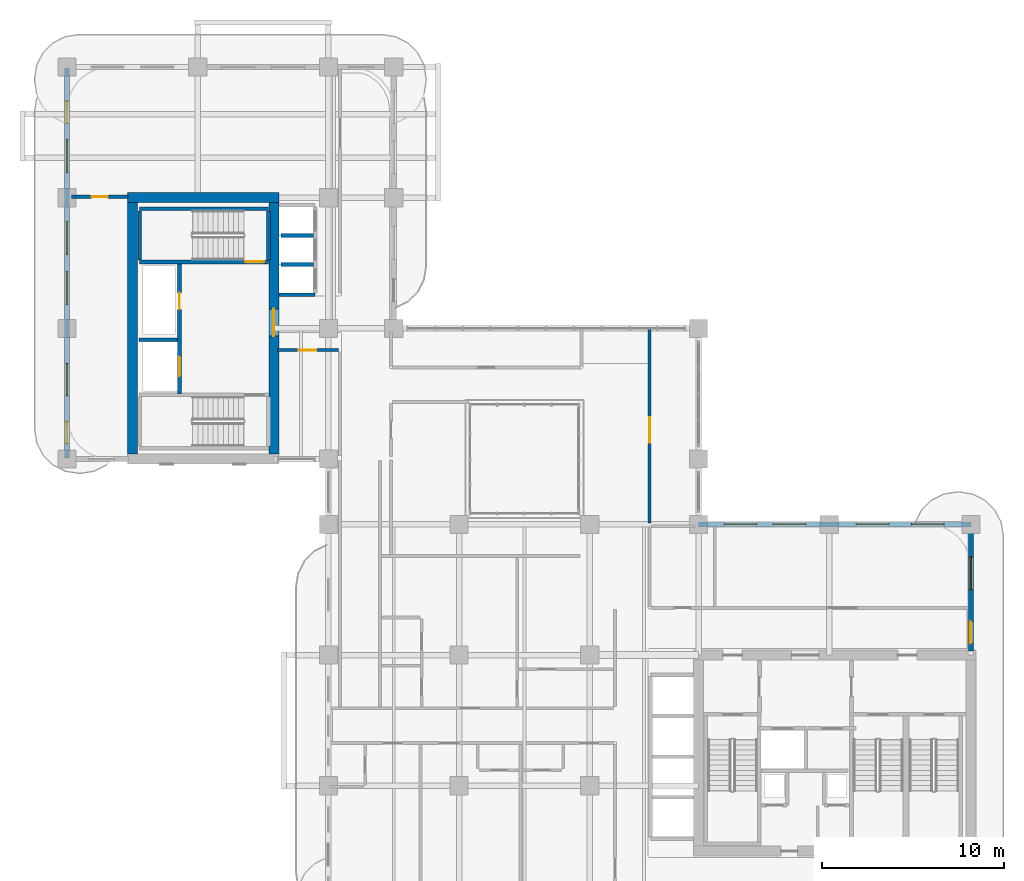
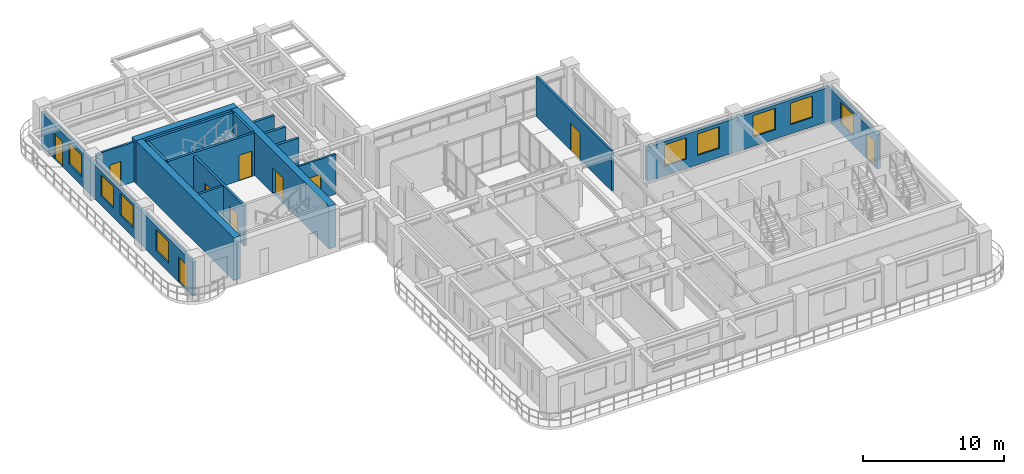
# One storey, part 14 of 19: 18 walls, 10 doors, 9 windows, 19 openings.
"""IFC4 building model written with IfcOpenShell, lengths in metres."""

from ifc_helpers import new_model, si_unit, derived_unit, direction, frame, frame_2d, origin, place, context, subcontext, project, spatial, rectangle, extrude, source, transform, mapped, material, layer, layer_set, type_object, type_shapes, element, fill, save


model = new_model("IFC4")

# Units and contexts
model_context = context("Model", 3, precision=1e-05, world=origin(), true_north=direction((0.0, 1.0)))
body_context = subcontext(model_context, "Body", "Model", "MODEL_VIEW")
ifc_project = project(units=[si_unit("LENGTHUNIT", "METRE"), si_unit("AREAUNIT", "SQUARE_METRE"), si_unit("VOLUMEUNIT", "CUBIC_METRE"), si_unit("PLANEANGLEUNIT", "RADIAN"), si_unit("MASSUNIT", "GRAM", prefix="KILO"), si_unit("THERMODYNAMICTEMPERATUREUNIT", "KELVIN"), si_unit("POWERUNIT", "WATT"), derived_unit("THERMALTRANSMITTANCEUNIT", [(si_unit("POWERUNIT", "WATT"), 1), (si_unit("AREAUNIT", "SQUARE_METRE"), -1), (si_unit("THERMODYNAMICTEMPERATUREUNIT", "KELVIN"), -1)])], contexts=[model_context])

# Site, building, storey
site_placement = place(None, origin())
site = spatial("IfcSite", under=ifc_project, at=site_placement, CompositionType="ELEMENT")
building_placement = place(site_placement, origin())
building = spatial("IfcBuilding", under=site, at=building_placement, Name="Zahravan Archway Hotel and Residences", CompositionType="ELEMENT")
storey_placement = place(building_placement, frame((0.0, 0.0, 134.0)))
storey = spatial("IfcBuildingStorey", under=building, at=storey_placement, Name="L33", CompositionType="ELEMENT", Elevation=134.0)

# Walls
ifc_material_1 = material(Name="Concrete C70/85", Category="concrete")
ifc_layer_1 = layer(ifc_material_1, 0.550048828125, Name="Concrete C70/85", Category="concrete")
ifc_layer_set_1 = layer_set([ifc_layer_1], Name="Concrete C70/85")
wall_type_1 = type_object("IfcWallType", Name="CW-CORE-550", PredefinedType="SHEAR", material=ifc_layer_set_1)
wall_1_placement = place(storey_placement, frame((3.324951171875, 39.60009765625, 0.0), z_axis=(0.0, 0.0, 1.0), x_axis=(1.0, 0.0, 0.0)))
element("IfcWall", 1, at=wall_1_placement, inside=storey, type_object=wall_type_1, Name="L33 Core B Shear N Wall 550 mm", PredefinedType="SHEAR", context=body_context, shape_type="SweptSolid", body=[
    extrude(rectangle(XDim=8.35009765625, YDim=0.550048828125, at=frame_2d((4.175048828125, 0.0))), origin(), (0.0, 0.0, 1.0), 3.699951171875),
])
wall_2_placement = place(storey_placement, frame((3.60009765625, 25.47509765625, 0.0), z_axis=(0.0, 0.0, 1.0), x_axis=(0.0, 1.0, 0.0)))
element("IfcWall", 2, at=wall_2_placement, inside=storey, type_object=wall_type_1, Name="L33 Core B Shear W Wall 550 mm", PredefinedType="SHEAR", context=body_context, shape_type="SweptSolid", body=[
    extrude(rectangle(XDim=13.849853515625, YDim=0.550048828125, at=frame_2d((6.9248046875, 0.0))), origin(), (0.0, 0.0, 1.0), 3.699951171875),
])

# Wall, opening, door
wall_3_placement = place(storey_placement, frame((11.39990234375, 25.47509765625, 0.0), z_axis=(0.0, 0.0, 1.0), x_axis=(0.0, 1.0, 0.0)))
wall_3 = element("IfcWall", 3, at=wall_3_placement, inside=storey, type_object=wall_type_1, Name="L33 Core B Shear E Wall 550 mm", PredefinedType="SHEAR", context=body_context, shape_type="SweptSolid", body=[
    extrude(rectangle(XDim=13.849853515625, YDim=0.550048828125, at=frame_2d((6.9248046875, 0.0))), origin(), (0.0, 0.0, 1.0), 3.699951171875),
])
opening_1_placement = place(wall_3_placement, frame((6.4951171875, 0.0, 0.0)))
opening_1 = element("IfcOpeningElement", 4, at=opening_1_placement, cuts=wall_3, Name="Opening FD-L1", PredefinedType="OPENING", context=body_context, shape_type="SweptSolid", body=[
    extrude(rectangle(XDim=1.5, YDim=2.199951171875, at=frame_2d((0.75, 1.10009765625))), frame((0.0, 0.28515625, 0.0), z_axis=(0.0, -1.0, 0.0), x_axis=(1.0, 0.0, 0.0)), (0.0, 0.0, 1.0), 0.570068359375),
])
ifc_material_2 = material(Name="Fire-Rated Painted Steel", Category="steel")
door_type_1 = type_object("IfcDoorType", Name="FD-LOBBY-1500", OperationType="DOUBLE_DOOR_SINGLE_SWING", PredefinedType="DOOR", material=ifc_material_2)
shared_shape_1 = source(origin(), body_context, "Body", "SweptSolid", [
    extrude(rectangle(XDim=1.5, YDim=2.199951171875, at=frame_2d((0.75, 1.10009765625))), frame((0.0, 0.02490234375, 0.0), z_axis=(0.0, -1.0, 0.0), x_axis=(1.0, 0.0, 0.0)), (0.0, 0.0, 1.0), 0.050048828125),
])
type_shapes(door_type_1, [shared_shape_1])
door_1_placement = place(opening_1_placement, origin())
door_1 = element("IfcDoor", 5, at=door_1_placement, inside=storey, type_object=door_type_1, Name="L33 Core B FSAE Lobby Door", OperationType="DOUBLE_DOOR_SINGLE_SWING", OverallHeight=2.199951171875, OverallWidth=1.5, PredefinedType="DOOR", context=body_context, shape_type="MappedRepresentation", body=[
    mapped(shared_shape_1, transform((0.0, 0.0, 0.0), scale=1.0)),
])
fill(opening_1, door_1)

# Wall, openings, door, window
ifc_material_3 = material(Name="Honed Red-Ochre Sandstone & Insulated Block", Category="masonry")
ifc_layer_2 = layer(ifc_material_3, 0.280029296875, Name="Honed Red-Ochre Sandstone & Insulated Block", Category="masonry")
ifc_layer_set_2 = layer_set([ifc_layer_2], Name="Honed Red-Ochre Sandstone & Insulated Block")
wall_type_2 = type_object("IfcWallType", Name="EW-LOG-280", PredefinedType="SOLIDWALL", material=ifc_layer_set_2)
wall_4_placement = place(storey_placement, frame((49.800048828125, 14.6201171875, 0.0), z_axis=(0.0, 0.0, 1.0), x_axis=(0.0, 1.0, 0.0)))
wall_4 = element("IfcWall", 6, at=wall_4_placement, inside=storey, type_object=wall_type_2, Name="L33 Exterior Sandstone Wall WA-EN", PredefinedType="SOLIDWALL", context=body_context, shape_type="SweptSolid", body=[
    extrude(rectangle(XDim=6.929931640625, YDim=0.280029296875, at=frame_2d((3.46484375, 0.0))), origin(), (0.0, 0.0, 1.0), 2.93505859375),
])
opening_2_placement = place(wall_4_placement, frame((0.419921875, 0.0, 0.0)))
opening_2 = element("IfcOpeningElement", 7, at=opening_2_placement, cuts=wall_4, Name="Opening ED-BL1", PredefinedType="OPENING", context=body_context, shape_type="SweptSolid", body=[
    extrude(rectangle(XDim=1.199951171875, YDim=2.199951171875, at=frame_2d((0.60009765625, 1.10009765625))), frame((0.0, 0.14990234375, 0.0), z_axis=(0.0, -1.0, 0.0), x_axis=(1.0, 0.0, 0.0)), (0.0, 0.0, 1.0), 0.300048828125),
])
opening_3_placement = place(wall_4_placement, frame((3.384033203125, 0.0, 0.800048828125)))
opening_3 = element("IfcOpeningElement", 8, at=opening_3_placement, cuts=wall_4, Name="Opening W-02", PredefinedType="OPENING", context=body_context, shape_type="SweptSolid", body=[
    extrude(rectangle(XDim=1.800048828125, YDim=1.85009765625, at=frame_2d((0.89990234375, 0.925048828125))), frame((0.0, 0.14990234375, 0.0), z_axis=(0.0, -1.0, 0.0), x_axis=(1.0, 0.0, 0.0)), (0.0, 0.0, 1.0), 0.300048828125),
])
ifc_material_4 = material(Name="Bronze-Anodized Glazed Aluminium", Category="aluminium")
door_type_2 = type_object("IfcDoorType", Name="ED-BALC-1200", OperationType="SLIDING_TO_LEFT", PredefinedType="DOOR", material=ifc_material_4)
shared_shape_2 = source(origin(), body_context, "Body", "SweptSolid", [
    extrude(rectangle(XDim=1.199951171875, YDim=2.199951171875, at=frame_2d((0.60009765625, 1.10009765625))), frame((0.0, 0.02490234375, 0.0), z_axis=(0.0, -1.0, 0.0), x_axis=(1.0, 0.0, 0.0)), (0.0, 0.0, 1.0), 0.050048828125),
])
type_shapes(door_type_2, [shared_shape_2])
door_2_placement = place(opening_2_placement, origin())
door_2 = element("IfcDoor", 9, at=door_2_placement, inside=storey, type_object=door_type_2, Name="L33 Outdoor Access Sliding Door (SLB-BAL-L33-EA)", OperationType="SLIDING_TO_LEFT", OverallHeight=2.199951171875, OverallWidth=1.199951171875, PredefinedType="DOOR", context=body_context, shape_type="MappedRepresentation", body=[
    mapped(shared_shape_2, transform((0.0, 0.0, 0.0), scale=1.0)),
])
fill(opening_2, door_2)
ifc_material_5 = material(Name="Bronze-Anodized Thermal-Break Aluminium & Low-E Glass", Category="aluminium")
window_type = type_object("IfcWindowType", Name="WIN-TWR-1800", PartitioningType="DOUBLE_PANEL_VERTICAL", PredefinedType="WINDOW", material=ifc_material_5)
shared_shape_3 = source(origin(), body_context, "Body", "SweptSolid", [
    extrude(rectangle(XDim=1.800048828125, YDim=1.85009765625, at=frame_2d((0.89990234375, 0.925048828125))), frame((0.0, 0.030029296875, 0.0), z_axis=(0.0, -1.0, 0.0), x_axis=(1.0, 0.0, 0.0)), (0.0, 0.0, 1.0), 0.06005859375),
])
type_shapes(window_type, [shared_shape_3])
window_1_placement = place(opening_3_placement, origin())
window_1 = element("IfcWindow", 10, at=window_1_placement, inside=storey, type_object=window_type, Name="L33 Loggia Window 10", OverallHeight=1.85009765625, OverallWidth=1.800048828125, PartitioningType="DOUBLE_PANEL_VERTICAL", PredefinedType="WINDOW", context=body_context, shape_type="MappedRepresentation", body=[
    mapped(shared_shape_3, transform((0.0, 0.0, 0.0), scale=1.0)),
])
fill(opening_3, window_1)

# Wall, openings, windows
wall_5_placement = place(storey_placement, frame((34.800048828125, 21.60009765625, 0.0), z_axis=(0.0, 0.0, 1.0), x_axis=(1.0, 0.0, 0.0)))
wall_5 = element("IfcWall", 11, at=wall_5_placement, inside=storey, type_object=wall_type_2, Name="L33 Exterior Sandstone Wall WA-NE", PredefinedType="SOLIDWALL", context=body_context, shape_type="SweptSolid", body=[
    extrude(rectangle(XDim=15.0, YDim=0.280029296875, at=frame_2d((7.5, 0.0))), origin(), (0.0, 0.0, 1.0), 2.93505859375),
])
opening_4_placement = place(wall_5_placement, frame((1.406005859375, 0.0, 0.800048828125)))
opening_4 = element("IfcOpeningElement", 12, at=opening_4_placement, cuts=wall_5, Name="Opening W-02", PredefinedType="OPENING", context=body_context, shape_type="SweptSolid", body=[
    extrude(rectangle(XDim=1.800048828125, YDim=1.85009765625, at=frame_2d((0.89990234375, 0.925048828125))), frame((0.0, 0.14990234375, 0.0), z_axis=(0.0, -1.0, 0.0), x_axis=(1.0, 0.0, 0.0)), (0.0, 0.0, 1.0), 0.300048828125),
])
opening_5_placement = place(wall_5_placement, frame((4.10205078125, 0.0, 0.800048828125)))
opening_5 = element("IfcOpeningElement", 13, at=opening_5_placement, cuts=wall_5, Name="Opening W-02", PredefinedType="OPENING", context=body_context, shape_type="SweptSolid", body=[
    extrude(rectangle(XDim=1.800048828125, YDim=1.85009765625, at=frame_2d((0.89990234375, 0.925048828125))), frame((0.0, 0.14990234375, 0.0), z_axis=(0.0, -1.0, 0.0), x_axis=(1.0, 0.0, 0.0)), (0.0, 0.0, 1.0), 0.300048828125),
])
opening_6_placement = place(wall_5_placement, frame((8.675048828125, 0.0, 0.800048828125)))
opening_6 = element("IfcOpeningElement", 14, at=opening_6_placement, cuts=wall_5, Name="Opening W-02", PredefinedType="OPENING", context=body_context, shape_type="SweptSolid", body=[
    extrude(rectangle(XDim=1.800048828125, YDim=1.85009765625, at=frame_2d((0.89990234375, 0.925048828125))), frame((0.0, 0.14990234375, 0.0), z_axis=(0.0, -1.0, 0.0), x_axis=(1.0, 0.0, 0.0)), (0.0, 0.0, 1.0), 0.300048828125),
])
opening_7_placement = place(wall_5_placement, frame((11.72509765625, 0.0, 0.800048828125)))
opening_7 = element("IfcOpeningElement", 15, at=opening_7_placement, cuts=wall_5, Name="Opening W-02", PredefinedType="OPENING", context=body_context, shape_type="SweptSolid", body=[
    extrude(rectangle(XDim=1.800048828125, YDim=1.85009765625, at=frame_2d((0.89990234375, 0.925048828125))), frame((0.0, 0.14990234375, 0.0), z_axis=(0.0, -1.0, 0.0), x_axis=(1.0, 0.0, 0.0)), (0.0, 0.0, 1.0), 0.300048828125),
])
window_2_placement = place(opening_4_placement, origin())
window_2 = element("IfcWindow", 16, at=window_2_placement, inside=storey, type_object=window_type, Name="L33 Loggia Window 11", OverallHeight=1.85009765625, OverallWidth=1.800048828125, PartitioningType="DOUBLE_PANEL_VERTICAL", PredefinedType="WINDOW", context=body_context, shape_type="MappedRepresentation", body=[
    mapped(shared_shape_3, transform((0.0, 0.0, 0.0), scale=1.0)),
])
fill(opening_4, window_2)
window_3_placement = place(opening_5_placement, origin())
window_3 = element("IfcWindow", 17, at=window_3_placement, inside=storey, type_object=window_type, Name="L33 Loggia Window 12", OverallHeight=1.85009765625, OverallWidth=1.800048828125, PartitioningType="DOUBLE_PANEL_VERTICAL", PredefinedType="WINDOW", context=body_context, shape_type="MappedRepresentation", body=[
    mapped(shared_shape_3, transform((0.0, 0.0, 0.0), scale=1.0)),
])
fill(opening_5, window_3)
window_4_placement = place(opening_6_placement, origin())
window_4 = element("IfcWindow", 18, at=window_4_placement, inside=storey, type_object=window_type, Name="L33 Loggia Window 13", OverallHeight=1.85009765625, OverallWidth=1.800048828125, PartitioningType="DOUBLE_PANEL_VERTICAL", PredefinedType="WINDOW", context=body_context, shape_type="MappedRepresentation", body=[
    mapped(shared_shape_3, transform((0.0, 0.0, 0.0), scale=1.0)),
])
fill(opening_6, window_4)
window_5_placement = place(opening_7_placement, origin())
window_5 = element("IfcWindow", 19, at=window_5_placement, inside=storey, type_object=window_type, Name="L33 Loggia Window 14", OverallHeight=1.85009765625, OverallWidth=1.800048828125, PartitioningType="DOUBLE_PANEL_VERTICAL", PredefinedType="WINDOW", context=body_context, shape_type="MappedRepresentation", body=[
    mapped(shared_shape_3, transform((0.0, 0.0, 0.0), scale=1.0)),
])
fill(opening_7, window_5)

# Wall, openings, doors, windows
wall_6_placement = place(storey_placement, frame((0.0, 25.25, 0.0), z_axis=(0.0, 0.0, 1.0), x_axis=(0.0, 1.0, 0.0)))
wall_6 = element("IfcWall", 20, at=wall_6_placement, inside=storey, type_object=wall_type_2, Name="L33 Exterior Sandstone Wall WB-W", PredefinedType="SOLIDWALL", context=body_context, shape_type="SweptSolid", body=[
    extrude(rectangle(XDim=21.5, YDim=0.280029296875, at=frame_2d((10.75, 0.0))), origin(), (0.0, 0.0, 1.0), 2.93505859375),
])
opening_8_placement = place(wall_6_placement, frame((18.449951171875, 0.0, 0.0)))
opening_8 = element("IfcOpeningElement", 21, at=opening_8_placement, cuts=wall_6, Name="Opening ED-BL1", PredefinedType="OPENING", context=body_context, shape_type="SweptSolid", body=[
    extrude(rectangle(XDim=1.199951171875, YDim=2.199951171875, at=frame_2d((0.60009765625, 1.10009765625))), frame((0.0, 0.14990234375, 0.0), z_axis=(0.0, -1.0, 0.0), x_axis=(1.0, 0.0, 0.0)), (0.0, 0.0, 1.0), 0.300048828125),
])
opening_9_placement = place(wall_6_placement, frame((0.800048828125, 0.0, 0.0)))
opening_9 = element("IfcOpeningElement", 22, at=opening_9_placement, cuts=wall_6, Name="Opening ED-BL1", PredefinedType="OPENING", context=body_context, shape_type="SweptSolid", body=[
    extrude(rectangle(XDim=1.199951171875, YDim=2.199951171875, at=frame_2d((0.60009765625, 1.10009765625))), frame((0.0, 0.14990234375, 0.0), z_axis=(0.0, -1.0, 0.0), x_axis=(1.0, 0.0, 0.0)), (0.0, 0.0, 1.0), 0.300048828125),
])
opening_10_placement = place(wall_6_placement, frame((3.425048828125, 0.0, 0.800048828125)))
opening_10 = element("IfcOpeningElement", 23, at=opening_10_placement, cuts=wall_6, Name="Opening W-02", PredefinedType="OPENING", context=body_context, shape_type="SweptSolid", body=[
    extrude(rectangle(XDim=1.800048828125, YDim=1.85009765625, at=frame_2d((0.89990234375, 0.925048828125))), frame((0.0, 0.14990234375, 0.0), z_axis=(0.0, -1.0, 0.0), x_axis=(1.0, 0.0, 0.0)), (0.0, 0.0, 1.0), 0.300048828125),
])
opening_11_placement = place(wall_6_placement, frame((8.47509765625, 0.0, 0.800048828125)))
opening_11 = element("IfcOpeningElement", 24, at=opening_11_placement, cuts=wall_6, Name="Opening W-02", PredefinedType="OPENING", context=body_context, shape_type="SweptSolid", body=[
    extrude(rectangle(XDim=1.800048828125, YDim=1.85009765625, at=frame_2d((0.89990234375, 0.925048828125))), frame((0.0, 0.14990234375, 0.0), z_axis=(0.0, -1.0, 0.0), x_axis=(1.0, 0.0, 0.0)), (0.0, 0.0, 1.0), 0.300048828125),
])
opening_12_placement = place(wall_6_placement, frame((11.22509765625, 0.0, 0.800048828125)))
opening_12 = element("IfcOpeningElement", 25, at=opening_12_placement, cuts=wall_6, Name="Opening W-02", PredefinedType="OPENING", context=body_context, shape_type="SweptSolid", body=[
    extrude(rectangle(XDim=1.800048828125, YDim=1.85009765625, at=frame_2d((0.89990234375, 0.925048828125))), frame((0.0, 0.14990234375, 0.0), z_axis=(0.0, -1.0, 0.0), x_axis=(1.0, 0.0, 0.0)), (0.0, 0.0, 1.0), 0.300048828125),
])
opening_13_placement = place(wall_6_placement, frame((15.75, 0.0, 0.800048828125)))
opening_13 = element("IfcOpeningElement", 26, at=opening_13_placement, cuts=wall_6, Name="Opening W-02", PredefinedType="OPENING", context=body_context, shape_type="SweptSolid", body=[
    extrude(rectangle(XDim=1.800048828125, YDim=1.85009765625, at=frame_2d((0.89990234375, 0.925048828125))), frame((0.0, 0.14990234375, 0.0), z_axis=(0.0, -1.0, 0.0), x_axis=(1.0, 0.0, 0.0)), (0.0, 0.0, 1.0), 0.300048828125),
])
door_3_placement = place(opening_8_placement, origin())
door_3 = element("IfcDoor", 27, at=door_3_placement, inside=storey, type_object=door_type_2, Name="L33 Outdoor Access Sliding Door (SLB-BAL-L33-NB)", OperationType="SLIDING_TO_LEFT", OverallHeight=2.199951171875, OverallWidth=1.199951171875, PredefinedType="DOOR", context=body_context, shape_type="MappedRepresentation", body=[
    mapped(shared_shape_2, transform((0.0, 0.0, 0.0), scale=1.0)),
])
fill(opening_8, door_3)
door_4_placement = place(opening_9_placement, origin())
door_4 = element("IfcDoor", 28, at=door_4_placement, inside=storey, type_object=door_type_2, Name="L33 Outdoor Access Sliding Door (SLB-BAL-L33-WB)", OperationType="SLIDING_TO_LEFT", OverallHeight=2.199951171875, OverallWidth=1.199951171875, PredefinedType="DOOR", context=body_context, shape_type="MappedRepresentation", body=[
    mapped(shared_shape_2, transform((0.0, 0.0, 0.0), scale=1.0)),
])
fill(opening_9, door_4)
window_6_placement = place(opening_10_placement, origin())
window_6 = element("IfcWindow", 29, at=window_6_placement, inside=storey, type_object=window_type, Name="L33 Loggia Window 22", OverallHeight=1.85009765625, OverallWidth=1.800048828125, PartitioningType="DOUBLE_PANEL_VERTICAL", PredefinedType="WINDOW", context=body_context, shape_type="MappedRepresentation", body=[
    mapped(shared_shape_3, transform((0.0, 0.0, 0.0), scale=1.0)),
])
fill(opening_10, window_6)
window_7_placement = place(opening_11_placement, origin())
window_7 = element("IfcWindow", 30, at=window_7_placement, inside=storey, type_object=window_type, Name="L33 Loggia Window 23", OverallHeight=1.85009765625, OverallWidth=1.800048828125, PartitioningType="DOUBLE_PANEL_VERTICAL", PredefinedType="WINDOW", context=body_context, shape_type="MappedRepresentation", body=[
    mapped(shared_shape_3, transform((0.0, 0.0, 0.0), scale=1.0)),
])
fill(opening_11, window_7)
window_8_placement = place(opening_12_placement, origin())
window_8 = element("IfcWindow", 31, at=window_8_placement, inside=storey, type_object=window_type, Name="L33 Loggia Window 24", OverallHeight=1.85009765625, OverallWidth=1.800048828125, PartitioningType="DOUBLE_PANEL_VERTICAL", PredefinedType="WINDOW", context=body_context, shape_type="MappedRepresentation", body=[
    mapped(shared_shape_3, transform((0.0, 0.0, 0.0), scale=1.0)),
])
fill(opening_12, window_8)
window_9_placement = place(opening_13_placement, origin())
window_9 = element("IfcWindow", 32, at=window_9_placement, inside=storey, type_object=window_type, Name="L33 Loggia Window 25", OverallHeight=1.85009765625, OverallWidth=1.800048828125, PartitioningType="DOUBLE_PANEL_VERTICAL", PredefinedType="WINDOW", context=body_context, shape_type="MappedRepresentation", body=[
    mapped(shared_shape_3, transform((0.0, 0.0, 0.0), scale=1.0)),
])
fill(opening_13, window_9)

# Wall, openings, doors
ifc_material_6 = material(Name="Fire-Rated Gypsum & Concrete Block", Category="concrete")
ifc_layer_3 = layer(ifc_material_6, 0.199951171875, Name="Fire-Rated Gypsum & Concrete Block", Category="concrete")
ifc_layer_set_3 = layer_set([ifc_layer_3], Name="Fire-Rated Gypsum & Concrete Block")
wall_type_3 = type_object("IfcWallType", Name="PW-SHAFT-200", PredefinedType="PARTITIONING", material=ifc_layer_set_3)
wall_7_placement = place(storey_placement, frame((6.199951171875, 28.7900390625, 0.0), z_axis=(0.0, 0.0, 1.0), x_axis=(0.0, 1.0, 0.0)))
wall_7 = element("IfcWall", 33, at=wall_7_placement, inside=storey, type_object=wall_type_3, Name="L33 Partition CB-FL3E", PredefinedType="PARTITIONING", context=body_context, shape_type="SweptSolid", body=[
    extrude(rectangle(XDim=7.219970703125, YDim=0.199951171875, at=frame_2d((3.60986328125, 0.0))), origin(), (0.0, 0.0, 1.0), 3.449951171875),
])
opening_14_placement = place(wall_7_placement, frame((4.659912109375, 0.0, 0.0)))
opening_14 = element("IfcOpeningElement", 34, at=opening_14_placement, cuts=wall_7, Name="Opening FD-R1", PredefinedType="OPENING", context=body_context, shape_type="SweptSolid", body=[
    extrude(rectangle(XDim=0.89990234375, YDim=2.10009765625, at=frame_2d((0.449951171875, 1.050048828125))), frame((0.0, 0.10986328125, 0.0), z_axis=(0.0, -1.0, 0.0), x_axis=(1.0, 0.0, 0.0)), (0.0, 0.0, 1.0), 0.219970703125),
])
opening_15_placement = place(wall_7_placement, frame((0.9599609375, 0.0, 0.0)))
opening_15 = element("IfcOpeningElement", 35, at=opening_15_placement, cuts=wall_7, Name="Opening LD", PredefinedType="OPENING", context=body_context, shape_type="SweptSolid", body=[
    extrude(rectangle(XDim=1.10009765625, YDim=2.199951171875, at=frame_2d((0.550048828125, 1.10009765625))), frame((0.0, 0.10986328125, 0.0), z_axis=(0.0, -1.0, 0.0), x_axis=(1.0, 0.0, 0.0)), (0.0, 0.0, 1.0), 0.219970703125),
])
door_type_3 = type_object("IfcDoorType", Name="FD-RISER-900", OperationType="NOTDEFINED", PredefinedType="DOOR", material=ifc_material_2)
shared_shape_4 = source(origin(), body_context, "Body", "SweptSolid", [
    extrude(rectangle(XDim=0.89990234375, YDim=2.10009765625, at=frame_2d((0.449951171875, 1.050048828125))), frame((0.0, 0.02490234375, 0.0), z_axis=(0.0, -1.0, 0.0), x_axis=(1.0, 0.0, 0.0)), (0.0, 0.0, 1.0), 0.050048828125),
])
type_shapes(door_type_3, [shared_shape_4])
door_5_placement = place(opening_14_placement, origin())
door_5 = element("IfcDoor", 36, at=door_5_placement, inside=storey, type_object=door_type_3, Name="L33 Core B Riser Door", OperationType="SINGLE_SWING_RIGHT", OverallHeight=2.10009765625, OverallWidth=0.89990234375, PredefinedType="DOOR", context=body_context, shape_type="MappedRepresentation", body=[
    mapped(shared_shape_4, transform((0.0, 0.0, 0.0), scale=1.0)),
])
fill(opening_14, door_5)
ifc_material_7 = material(Name="Brushed Stainless Steel", Category="steel")
door_type_4 = type_object("IfcDoorType", Name="DR-LIFT-LD", OperationType="SLIDING_TO_LEFT", PredefinedType="DOOR", material=ifc_material_7)
shared_shape_5 = source(origin(), body_context, "Body", "SweptSolid", [
    extrude(rectangle(XDim=1.10009765625, YDim=2.199951171875, at=frame_2d((0.550048828125, 1.10009765625))), frame((0.0, 0.02490234375, 0.0), z_axis=(0.0, -1.0, 0.0), x_axis=(1.0, 0.0, 0.0)), (0.0, 0.0, 1.0), 0.050048828125),
])
type_shapes(door_type_4, [shared_shape_5])
door_6_placement = place(opening_15_placement, origin())
door_6 = element("IfcDoor", 37, at=door_6_placement, inside=storey, type_object=door_type_4, Name="L33 Lift FL-3 Sliding Landing Door", OperationType="SLIDING_TO_LEFT", OverallHeight=2.199951171875, OverallWidth=1.10009765625, PredefinedType="DOOR", context=body_context, shape_type="MappedRepresentation", body=[
    mapped(shared_shape_5, transform((0.0, 0.0, 0.0), scale=1.0)),
])
fill(opening_15, door_6)

# Walls
wall_8_placement = place(storey_placement, frame((3.9599609375, 31.780029296875, 0.0), z_axis=(0.0, 0.0, 1.0), x_axis=(1.0, 0.0, 0.0)))
element("IfcWall", 38, at=wall_8_placement, inside=storey, type_object=wall_type_3, Name="L33 Partition CB-FL3N", PredefinedType="PARTITIONING", context=body_context, shape_type="SweptSolid", body=[
    extrude(rectangle(XDim=2.130126953125, YDim=0.199951171875, at=frame_2d((1.06494140625, 0.0))), origin(), (0.0, 0.0, 1.0), 3.449951171875),
])
wall_9_placement = place(storey_placement, frame((11.68505859375, 34.25, 0.0), z_axis=(0.0, 0.0, 1.0), x_axis=(1.0, 0.0, 0.0)))
element("IfcWall", 39, at=wall_9_placement, inside=storey, type_object=wall_type_3, Name="L33 Partition B2-S", PredefinedType="PARTITIONING", context=body_context, shape_type="SweptSolid", body=[
    extrude(rectangle(XDim=1.98486328125, YDim=0.199951171875, at=frame_2d((0.992431640625, 0.0))), origin(), (0.0, 0.0, 1.0), 3.449951171875),
])
for number, where, z_axis, x_axis, name in (
    (40, (11.784912109375, 35.919921875, 0.0), (0.0, 0.0, 1.0), (1.0, 0.0, 0.0), "L33 Partition B2-D"),
    (41, (11.784912109375, 37.52001953125, 0.0), (0.0, 0.0, 1.0), (1.0, 0.0, 0.0), "L33 Partition B2-D"),
):
    element("IfcWall", number, at=place(storey_placement, frame(where, z_axis=z_axis, x_axis=x_axis)), inside=storey, type_object=wall_type_3, Name=name, PredefinedType="PARTITIONING", context=body_context, shape_type="SweptSolid", body=[
        extrude(rectangle(XDim=1.78515625, YDim=0.199951171875, at=frame_2d((0.892578125, 0.0))), origin(), (0.0, 0.0, 1.0), 3.449951171875),
    ])

# Wall, opening, door
ifc_material_8 = material(Name="Acoustic Stud Partition")
ifc_layer_4 = layer(ifc_material_8, 0.169921875, Name="Acoustic Stud Partition")
ifc_layer_set_4 = layer_set([ifc_layer_4], Name="Acoustic Stud Partition")
wall_type_4 = type_object("IfcWallType", Name="PW-UNIT-170", PredefinedType="PARTITIONING", material=ifc_layer_set_4)
wall_10_placement = place(storey_placement, frame((0.239990234375, 39.64990234375, 0.0), z_axis=(0.0, 0.0, 1.0), x_axis=(1.0, 0.0, 0.0)))
wall_10 = element("IfcWall", 42, at=wall_10_placement, inside=storey, type_object=wall_type_4, Name="L33 Partition WBW-N", PredefinedType="PARTITIONING", context=body_context, shape_type="SweptSolid", body=[
    extrude(rectangle(XDim=3.1201171875, YDim=0.169921875, at=frame_2d((1.56005859375, 0.0))), origin(), (0.0, 0.0, 1.0), 3.449951171875),
])
opening_16_placement = place(wall_10_placement, frame((1.110107421875, 0.0, 0.0)))
opening_16 = element("IfcOpeningElement", 43, at=opening_16_placement, cuts=wall_10, Name="Opening D-I2", PredefinedType="OPENING", context=body_context, shape_type="SweptSolid", body=[
    extrude(rectangle(XDim=0.89990234375, YDim=2.14990234375, at=frame_2d((0.449951171875, 1.074951171875))), frame((0.0, 0.094970703125, 0.0), z_axis=(0.0, -1.0, 0.0), x_axis=(1.0, 0.0, 0.0)), (0.0, 0.0, 1.0), 0.18994140625),
])
ifc_material_9 = material(Name="Hardwood Veneer Timber", Category="wood")
door_type_5 = type_object("IfcDoorType", Name="ID-INT-900", OperationType="NOTDEFINED", PredefinedType="DOOR", material=ifc_material_9)
shared_shape_6 = source(origin(), body_context, "Body", "SweptSolid", [
    extrude(rectangle(XDim=0.89990234375, YDim=2.14990234375, at=frame_2d((0.449951171875, 1.074951171875))), frame((0.0, 0.02490234375, 0.0), z_axis=(0.0, -1.0, 0.0), x_axis=(1.0, 0.0, 0.0)), (0.0, 0.0, 1.0), 0.050048828125),
])
type_shapes(door_type_5, [shared_shape_6])
door_7_placement = place(opening_16_placement, origin())
door_7 = element("IfcDoor", 44, at=door_7_placement, inside=storey, type_object=door_type_5, Name="L33 West Loggia Salon Door", OperationType="SINGLE_SWING_RIGHT", OverallHeight=2.14990234375, OverallWidth=0.89990234375, PredefinedType="DOOR", context=body_context, shape_type="MappedRepresentation", body=[
    mapped(shared_shape_6, transform((0.0, 0.0, 0.0), scale=1.0)),
])
fill(opening_16, door_7)

wall_11_placement = place(storey_placement, frame((11.590087890625, 31.199951171875, 0.0), z_axis=(0.0, 0.0, 1.0), x_axis=(1.0, 0.0, 0.0)))
wall_11 = element("IfcWall", 45, at=wall_11_placement, inside=storey, type_object=wall_type_4, Name="L33 Partition FB1-N", PredefinedType="PARTITIONING", context=body_context, shape_type="SweptSolid", body=[
    extrude(rectangle(XDim=3.369873046875, YDim=0.169921875, at=frame_2d((1.68505859375, 0.0))), origin(), (0.0, 0.0, 1.0), 3.449951171875),
])
opening_17_placement = place(wall_11_placement, frame((1.18505859375, 0.0, 0.0)))
opening_17 = element("IfcOpeningElement", 46, at=opening_17_placement, cuts=wall_11, Name="Opening D-I1", PredefinedType="OPENING", context=body_context, shape_type="SweptSolid", body=[
    extrude(rectangle(XDim=0.949951171875, YDim=2.14990234375, at=frame_2d((0.47509765625, 1.074951171875))), frame((0.0, 0.094970703125, 0.0), z_axis=(0.0, -1.0, 0.0), x_axis=(1.0, 0.0, 0.0)), (0.0, 0.0, 1.0), 0.18994140625),
])
door_type_6 = type_object("IfcDoorType", Name="ID-INT-950", OperationType="NOTDEFINED", PredefinedType="DOOR", material=ifc_material_9)
shared_shape_7 = source(origin(), body_context, "Body", "SweptSolid", [
    extrude(rectangle(XDim=0.949951171875, YDim=2.14990234375, at=frame_2d((0.47509765625, 1.074951171875))), frame((0.0, 0.02490234375, 0.0), z_axis=(0.0, -1.0, 0.0), x_axis=(1.0, 0.0, 0.0)), (0.0, 0.0, 1.0), 0.050048828125),
])
type_shapes(door_type_6, [shared_shape_7])
door_8_placement = place(opening_17_placement, origin())
door_8 = element("IfcDoor", 47, at=door_8_placement, inside=storey, type_object=door_type_6, Name="L33 Freed Bank 1 Reading Salon Door", OperationType="SINGLE_SWING_LEFT", OverallHeight=2.14990234375, OverallWidth=0.949951171875, PredefinedType="DOOR", context=body_context, shape_type="MappedRepresentation", body=[
    mapped(shared_shape_7, transform((0.0, 0.0, 0.0), scale=1.0)),
])
fill(opening_17, door_8)

wall_12_placement = place(storey_placement, frame((32.10009765625, 21.669921875, 0.0), z_axis=(0.0, 0.0, 1.0), x_axis=(0.0, 1.0, 0.0)))
wall_12 = element("IfcWall", 48, at=wall_12_placement, inside=storey, type_object=wall_type_4, Name="L33 Partition ATR-E", PredefinedType="PARTITIONING", context=body_context, shape_type="SweptSolid", body=[
    extrude(rectangle(XDim=10.7021484375, YDim=0.169921875, at=frame_2d((5.35107421875, 0.0))), origin(), (0.0, 0.0, 1.0), 3.449951171875),
])
opening_18_placement = place(wall_12_placement, frame((4.429931640625, 0.0, 0.0)))
opening_18 = element("IfcOpeningElement", 49, at=opening_18_placement, cuts=wall_12, Name="Opening D-P1", PredefinedType="OPENING", context=body_context, shape_type="SweptSolid", body=[
    extrude(rectangle(XDim=1.39990234375, YDim=2.35009765625, at=frame_2d((0.699951171875, 1.175048828125))), frame((0.0, 0.094970703125, 0.0), z_axis=(0.0, -1.0, 0.0), x_axis=(1.0, 0.0, 0.0)), (0.0, 0.0, 1.0), 0.18994140625),
])
door_type_7 = type_object("IfcDoorType", Name="ID-PUBLIC-1400", OperationType="DOUBLE_DOOR_SINGLE_SWING", PredefinedType="DOOR", material=ifc_material_4)
shared_shape_8 = source(origin(), body_context, "Body", "SweptSolid", [
    extrude(rectangle(XDim=1.39990234375, YDim=2.35009765625, at=frame_2d((0.699951171875, 1.175048828125))), frame((0.0, 0.02490234375, 0.0), z_axis=(0.0, -1.0, 0.0), x_axis=(1.0, 0.0, 0.0)), (0.0, 0.0, 1.0), 0.050048828125),
])
type_shapes(door_type_7, [shared_shape_8])
door_9_placement = place(opening_18_placement, origin())
door_9 = element("IfcDoor", 50, at=door_9_placement, inside=storey, type_object=door_type_7, Name="L33 Atrium Gallery Cafe Door", OperationType="DOUBLE_DOOR_SINGLE_SWING", OverallHeight=2.35009765625, OverallWidth=1.39990234375, PredefinedType="DOOR", context=body_context, shape_type="MappedRepresentation", body=[
    mapped(shared_shape_8, transform((0.0, 0.0, 0.0), scale=1.0)),
])
fill(opening_18, door_9)

# Walls
ifc_material_10 = material(Name="Concrete C50/60", Category="concrete")
ifc_layer_5 = layer(ifc_material_10, 0.199951171875, Name="Concrete C50/60", Category="concrete")
ifc_layer_set_5 = layer_set([ifc_layer_5], Name="Concrete C50/60")
wall_type_5 = type_object("IfcWallType", Name="SW-STAIR-200", PredefinedType="SHEAR", material=ifc_layer_set_5)
wall_13_placement = place(storey_placement, frame((4.0, 39.0, 0.0), z_axis=(0.0, 0.0, 1.0), x_axis=(1.0, 0.0, 0.0)))
element("IfcWall", 51, at=wall_13_placement, inside=storey, type_object=wall_type_5, Name="L33 Stairwell RC Wall CB-SB2N", PredefinedType="SHEAR", context=body_context, shape_type="SweptSolid", body=[
    extrude(rectangle(XDim=7.10009765625, YDim=0.199951171875, at=frame_2d((3.550048828125, 0.0))), origin(), (0.0, 0.0, 1.0), 3.699951171875),
])
for number, where, z_axis, x_axis, name in (
    (52, (4.0, 36.179931640625, 0.0), (0.0, 0.0, 1.0), (0.0, 1.0, 0.0), "L33 Stairwell RC Wall CB-SB2W"),
    (53, (11.10009765625, 36.179931640625, 0.0), (0.0, 0.0, 1.0), (0.0, 1.0, 0.0), "L33 Stairwell RC Wall CB-SB2E"),
):
    element("IfcWall", number, at=place(storey_placement, frame(where, z_axis=z_axis, x_axis=x_axis)), inside=storey, type_object=wall_type_5, Name=name, PredefinedType="SHEAR", context=body_context, shape_type="SweptSolid", body=[
        extrude(rectangle(XDim=2.699951171875, YDim=0.199951171875, at=frame_2d((1.35009765625, 0.0))), origin(), (0.0, 0.0, 1.0), 3.699951171875),
    ])

# Wall, opening, door
wall_14_placement = place(storey_placement, frame((4.0, 36.06005859375, 0.0), z_axis=(0.0, 0.0, 1.0), x_axis=(1.0, 0.0, 0.0)))
wall_14 = element("IfcWall", 54, at=wall_14_placement, inside=storey, type_object=wall_type_5, Name="L33 Stairwell RC Wall CB-SB2S", PredefinedType="SHEAR", context=body_context, shape_type="SweptSolid", body=[
    extrude(rectangle(XDim=7.10009765625, YDim=0.199951171875, at=frame_2d((3.550048828125, 0.0))), origin(), (0.0, 0.0, 1.0), 3.699951171875),
])
opening_19_placement = place(wall_14_placement, frame((5.81494140625, 0.0, 0.0)))
opening_19 = element("IfcOpeningElement", 55, at=opening_19_placement, cuts=wall_14, Name="Opening FD-S1", PredefinedType="OPENING", context=body_context, shape_type="SweptSolid", body=[
    extrude(rectangle(XDim=1.050048828125, YDim=2.199951171875, at=frame_2d((0.52490234375, 1.10009765625))), frame((0.0, 0.10986328125, 0.0), z_axis=(0.0, -1.0, 0.0), x_axis=(1.0, 0.0, 0.0)), (0.0, 0.0, 1.0), 0.219970703125),
])
door_type_8 = type_object("IfcDoorType", Name="FD-STAIR-1100", OperationType="NOTDEFINED", PredefinedType="DOOR", material=ifc_material_2)
shared_shape_9 = source(origin(), body_context, "Body", "SweptSolid", [
    extrude(rectangle(XDim=1.050048828125, YDim=2.199951171875, at=frame_2d((0.52490234375, 1.10009765625))), frame((0.0, 0.02490234375, 0.0), z_axis=(0.0, -1.0, 0.0), x_axis=(1.0, 0.0, 0.0)), (0.0, 0.0, 1.0), 0.050048828125),
])
type_shapes(door_type_8, [shared_shape_9])
door_10_placement = place(opening_19_placement, origin())
door_10 = element("IfcDoor", 56, at=door_10_placement, inside=storey, type_object=door_type_8, Name="L33 Stair ST-B2 Door", OperationType="SINGLE_SWING_LEFT", OverallHeight=2.199951171875, OverallWidth=1.050048828125, PredefinedType="DOOR", context=body_context, shape_type="MappedRepresentation", body=[
    mapped(shared_shape_9, transform((0.0, 0.0, 0.0), scale=1.0)),
])
fill(opening_19, door_10)

save(model, "model.ifc")
